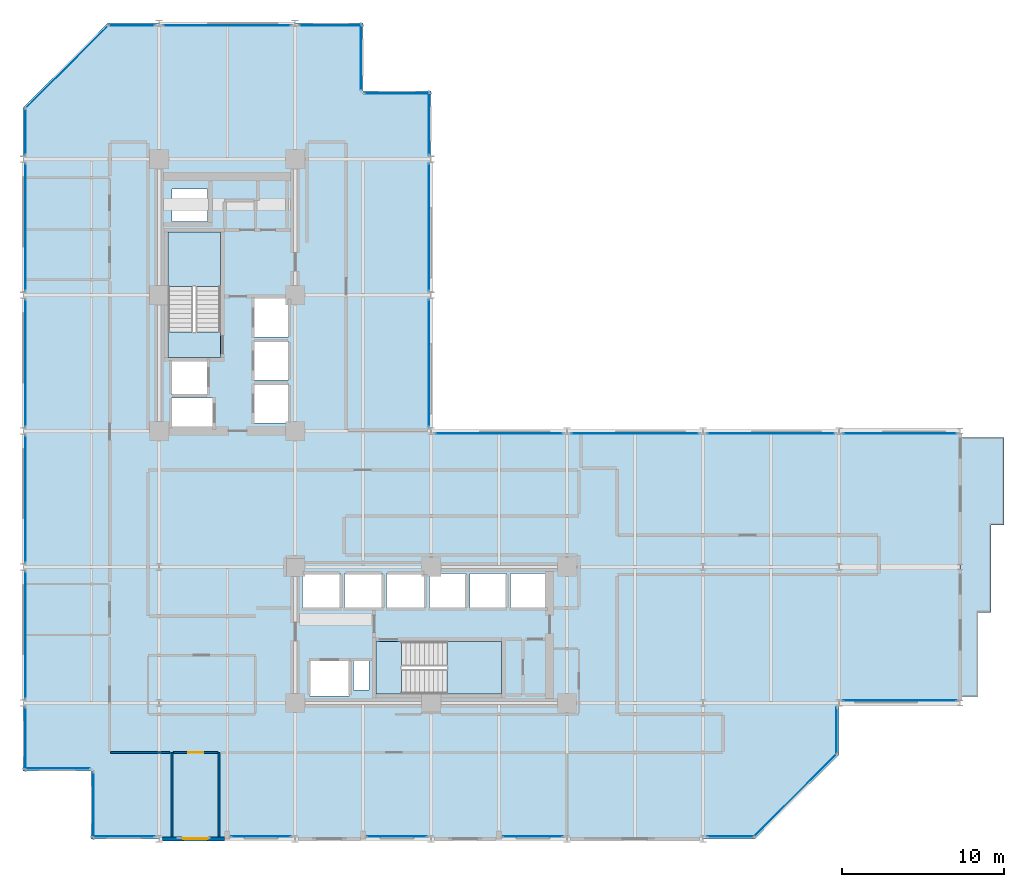
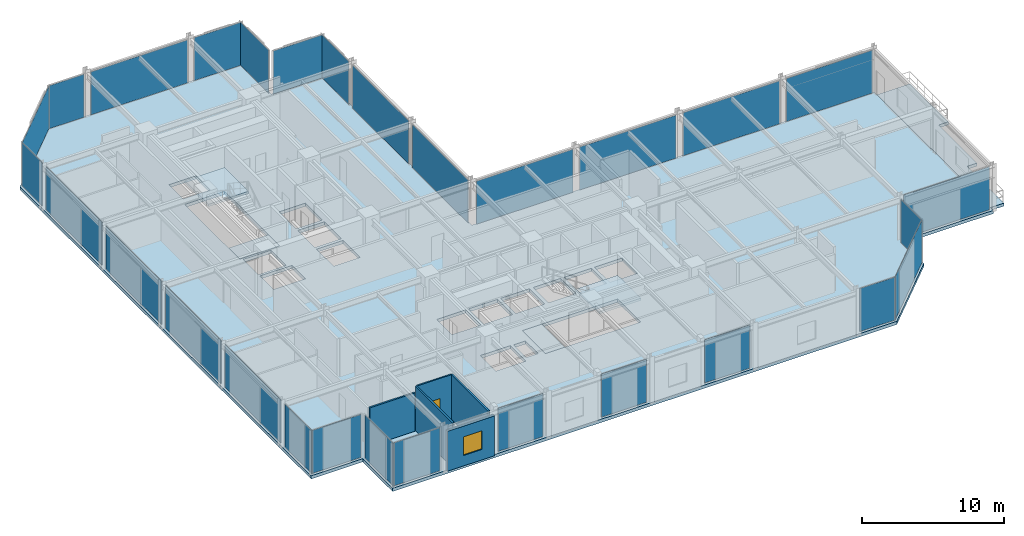
# One storey, part 31 of 38: 29 plates, 6 slabs, 5 walls, 1 door, 1 window, 2 openings, 31 elements without a shape of their own.
"""IFC4 building model written with IfcOpenShell, lengths in metres."""

import ifcopenshell
import ifcopenshell.guid

model = None  # the IFC model being written
_history = None  # IfcOwnerHistory: only IFC2X3 demands one
_inside = {}  # id of a spatial element -> (the spatial element, [elements in it])
_under = {}  # id of a project, library or spatial element -> (it, [spatial elements below it])
_declared = {}  # id of a project -> (the project, [libraries it declares])
_typed = {}  # id of a type object -> (the type object, [elements of that type])
_made_of = {}  # id of a material, layer set ... -> (it, [elements and type objects made of it])


def new_model(schema):
    """Start an empty IFC model of exactly this schema.

    Asked for "IFC4X3", IfcOpenShell would pick the latest addendum, in which some entities
    have other attributes; the version numbers below select the first issue.
    IFC2X3 requires an IfcOwnerHistory on every rooted entity: one is made here for all.
    """
    global model, _history
    if schema == "IFC4X3":
        model = ifcopenshell.file(schema_version=(4, 3, 0, 0))
    else:
        model = ifcopenshell.file(schema=schema)
    _inside.clear()
    _under.clear()
    _declared.clear()
    _typed.clear()
    _made_of.clear()
    _history = None
    if model.schema == "IFC2X3":
        org = make("IfcOrganization", Name="unknown")
        user = make(
            "IfcPersonAndOrganization",
            ThePerson=make("IfcPerson", FamilyName="unknown"),
            TheOrganization=org,
        )
        app = make(
            "IfcApplication",
            ApplicationDeveloper=org,
            Version="unknown",
            ApplicationFullName="unknown",
            ApplicationIdentifier="unknown",
        )
        _history = make(
            "IfcOwnerHistory",
            OwningUser=user,
            OwningApplication=app,
            ChangeAction="ADDED",
            CreationDate=0,
        )
    return model


def make(cls, **values):
    """One entity of the class cls with the attributes given. An attribute that is None is left unset."""
    return model.create_entity(
        cls, **{name: value for name, value in values.items() if value is not None}
    )


def rooted(cls, **values):
    """An entity with a GlobalId (a new one), such as an element, a storey or a relation."""
    return make(cls, GlobalId=ifcopenshell.guid.new(), OwnerHistory=_history, **values)


def si_unit(unit_type, name, prefix=None):
    """IfcSIUnit, for example si_unit("LENGTHUNIT", "METRE", prefix="MILLI")."""
    return make("IfcSIUnit", UnitType=unit_type, Prefix=prefix, Name=name)


def assignment(units):
    """IfcUnitAssignment: the units of a project."""
    return None if units is None else make("IfcUnitAssignment", Units=units)


def point(xyz):
    """IfcCartesianPoint."""
    return None if xyz is None else make("IfcCartesianPoint", Coordinates=xyz)


def direction(xyz):
    """IfcDirection."""
    return None if xyz is None else make("IfcDirection", DirectionRatios=xyz)


def frame(location, z_axis=None, x_axis=None):
    """IfcAxis2Placement3D, a coordinate frame: its origin and axes. An axis left out is left unset."""
    return make(
        "IfcAxis2Placement3D",
        Location=point(location),
        Axis=direction(z_axis),
        RefDirection=direction(x_axis),
    )


def frame_2d(location, x_axis=None):
    """IfcAxis2Placement2D, a coordinate frame in the plane: its origin and x axis."""
    return make(
        "IfcAxis2Placement2D", Location=point(location), RefDirection=direction(x_axis)
    )


def origin():
    """The frame at (0, 0, 0) with its axes left unset."""
    return frame((0.0, 0.0, 0.0))


def origin_2d():
    """The frame at (0, 0) in the plane with its x axis left unset."""
    return frame_2d((0.0, 0.0))


def place(relative_to, where):
    """IfcLocalPlacement: puts the frame where relative to a parent placement (None: the world)."""
    return make(
        "IfcLocalPlacement", PlacementRelTo=relative_to, RelativePlacement=where
    )


def context(
    kind, dimensions, precision=None, world=None, true_north=None, identifier=None
):
    """IfcGeometricRepresentationContext, for example the 3D "Model" context."""
    return make(
        "IfcGeometricRepresentationContext",
        ContextIdentifier=identifier,
        ContextType=kind,
        CoordinateSpaceDimension=dimensions,
        Precision=precision,
        WorldCoordinateSystem=world,
        TrueNorth=true_north,
    )


def subcontext(parent, identifier, kind, view, scale=None):
    """IfcGeometricRepresentationSubContext, for example "Body" below "Model"."""
    return make(
        "IfcGeometricRepresentationSubContext",
        ContextIdentifier=identifier,
        ContextType=kind,
        ParentContext=parent,
        TargetScale=scale,
        TargetView=view,
    )


def project(units=None, contexts=None):
    """IfcProject with its units and contexts."""
    return rooted(
        "IfcProject",
        Name="project",
        RepresentationContexts=contexts,
        UnitsInContext=assignment(units),
    )


def spatial(cls, under=None, at=None, **own):
    """A site, building, storey or space (cls), placed at a placement, below another one or the project."""
    s = rooted(cls, ObjectPlacement=at, **own)
    if under is not None:
        _under.setdefault(under.id(), (under, []))[1].append(s)
    return s


def polyline(points):
    """IfcPolyline through the points."""
    return make("IfcPolyline", Points=[point(p) for p in points])


def profile(cls, at=None, kind="AREA", **sizes):
    """A parametric profile (cls). Its sizes go by their IFC names, for example OverallWidth=200.0."""
    return make(cls, ProfileType=kind, Position=at, **sizes)


def rectangle(**sizes):
    """IfcRectangleProfileDef."""
    return profile("IfcRectangleProfileDef", **sizes)


def outline(outer, holes=None, kind="AREA"):
    """IfcArbitraryClosedProfileDef: a profile drawn as a closed curve; with holes, ...WithVoids."""
    if holes is None:
        return make("IfcArbitraryClosedProfileDef", ProfileType=kind, OuterCurve=outer)
    return make(
        "IfcArbitraryProfileDefWithVoids",
        ProfileType=kind,
        OuterCurve=outer,
        InnerCurves=holes,
    )


def extrude(swept, where, along, depth):
    """IfcExtrudedAreaSolid: the profile swept, set in the frame where, extruded along a direction by depth."""
    return make(
        "IfcExtrudedAreaSolid",
        SweptArea=swept,
        Position=where,
        ExtrudedDirection=direction(along),
        Depth=depth,
    )


def shape(context_of_items, identifier, shape_type, items):
    """IfcShapeRepresentation: the items that make up one representation, for example the "Body"."""
    return make(
        "IfcShapeRepresentation",
        ContextOfItems=context_of_items,
        RepresentationIdentifier=identifier,
        RepresentationType=shape_type,
        Items=items,
    )


def material(Name=None, Category=None):
    """IfcMaterial."""
    return make("IfcMaterial", Name=Name, Category=Category)


def layer(
    of_material, thickness, ventilated=None, Name=None, Category=None, Priority=None
):
    """IfcMaterialLayer: one layer of a wall or slab, of a material (None: an air gap)."""
    return make(
        "IfcMaterialLayer",
        Material=of_material,
        LayerThickness=thickness,
        IsVentilated=ventilated,
        Name=Name,
        Category=Category,
        Priority=Priority,
    )


def layer_set(layers, Name=None):
    """IfcMaterialLayerSet."""
    return make("IfcMaterialLayerSet", MaterialLayers=layers, LayerSetName=Name)


def made_of(thing, what):
    """Note that an element or type object is made of a material, layer set ...; save() writes the relation."""
    if what is not None:
        _made_of.setdefault(what.id(), (what, []))[1].append(thing)
    return thing


def type_object(cls, material=None, **own):
    """A type object (cls), such as IfcWallType, which elements share."""
    return made_of(rooted(cls, **own), material)


def element(
    cls,
    number,
    at=None,
    inside=None,
    cuts=None,
    type_object=None,
    material=None,
    context=None,
    identifier="Body",
    shape_type=None,
    held_by="IfcProductDefinitionShape",
    body=None,
    shapes=None,
    **own,
):
    """One element of the class cls, such as IfcWall. Its Tag is "e" and its number.

    at: its placement. inside: the storey or other place that contains it. cuts: it is an
    opening in that element (IfcRelVoidsElement). A single representation is given by context,
    identifier, shape_type and body (its items); several are given by shapes. held_by: the class
    of the entity that holds the representations. save() writes the other relations.
    """
    e = rooted(cls, Tag="e%d" % number, ObjectPlacement=at, **own)
    if body is not None:
        shapes = [shape(context, identifier, shape_type, body)]
    if shapes is not None:
        e.Representation = make(held_by, Representations=shapes)
    if inside is not None:
        _inside.setdefault(inside.id(), (inside, []))[1].append(e)
    if cuts is not None:
        rooted(
            "IfcRelVoidsElement", RelatingBuildingElement=cuts, RelatedOpeningElement=e
        )
    if type_object is not None:
        _typed.setdefault(type_object.id(), (type_object, []))[1].append(e)
    return made_of(e, material)


def fill(opening, filler):
    """IfcRelFillsElement: the door or window that sits in an opening."""
    return rooted(
        "IfcRelFillsElement",
        RelatingOpeningElement=opening,
        RelatedBuildingElement=filler,
    )


def aggregate(whole, parts):
    """IfcRelAggregates: a whole, such as a stair, and the parts it consists of."""
    return rooted("IfcRelAggregates", RelatingObject=whole, RelatedObjects=parts)


def save(model, path):
    """Write the relations noted so far, then the file.

    IfcRelAggregates (storeys below a building ...), IfcRelContainedInSpatialStructure (elements
    in a storey), IfcRelDefinesByType, IfcRelAssociatesMaterial and IfcRelDeclares: one each for
    every whole, place, type object, material and project.
    """
    for whole, parts in _under.values():
        aggregate(whole, parts)
    for where, things in _inside.values():
        rooted(
            "IfcRelContainedInSpatialStructure",
            RelatedElements=things,
            RelatingStructure=where,
        )
    for kind, things in _typed.values():
        rooted("IfcRelDefinesByType", RelatedObjects=things, RelatingType=kind)
    for what, things in _made_of.values():
        rooted("IfcRelAssociatesMaterial", RelatedObjects=things, RelatingMaterial=what)
    for by, libraries in _declared.values():
        rooted("IfcRelDeclares", RelatingContext=by, RelatedDefinitions=libraries)
    model.write(path)


model = new_model("IFC4")

# Units and contexts
model_context = context("Model", 3, precision=1e-05, world=origin(), true_north=direction((0.0, 1.0)))
body_context = subcontext(model_context, "Body", "Model", "MODEL_VIEW")
ifc_project = project(units=[si_unit("LENGTHUNIT", "METRE"), si_unit("AREAUNIT", "SQUARE_METRE"), si_unit("VOLUMEUNIT", "CUBIC_METRE"), si_unit("PLANEANGLEUNIT", "RADIAN"), si_unit("MASSUNIT", "GRAM", prefix="KILO")], contexts=[model_context])

# Site, building, storey
site_placement = place(None, origin())
site = spatial("IfcSite", under=ifc_project, at=site_placement, CompositionType="ELEMENT")
building_placement = place(site_placement, origin())
building = spatial("IfcBuilding", under=site, at=building_placement, Name="Nerrivon Quay Data Exchange", CompositionType="ELEMENT")
storey_placement = place(building_placement, frame((0.0, 0.0, 96.699951171875)))
storey = spatial("IfcBuildingStorey", under=building, at=storey_placement, Name="L22", CompositionType="ELEMENT", Elevation=96.699951171875)

# Curtain wall, plate
ifc_material_1 = material(Name="Anodised aluminium 6063-T6", Category="aluminium")
ifc_layer_1 = layer(ifc_material_1, 0.199951171875)
ifc_layer_set_1 = layer_set([ifc_layer_1], Name="Anodised aluminium 6063-T6")
curtain_wall_type_1 = type_object("IfcCurtainWallType", Name="CW-SYS-04", PredefinedType="NOTDEFINED", material=ifc_layer_set_1)
curtain_wall_1_placement = place(storey_placement, origin())
curtain_wall_1 = element("IfcCurtainWall", 1, at=curtain_wall_1_placement, inside=storey, type_object=curtain_wall_type_1, Name="L22 Unitised Curtain Wall 3", PredefinedType="NOTDEFINED")
ifc_material_2 = material(Name="Double-glazed low-E solar control glass", Category="glass")
ifc_layer_2 = layer(ifc_material_2, 0.028076171875)
ifc_layer_set_2 = layer_set([ifc_layer_2], Name="Double-glazed low-E solar control glass")
plate_type = type_object("IfcPlateType", Name="CWP-GLZ-28", PredefinedType="CURTAIN_PANEL", material=ifc_layer_set_2)
plate_1_placement = place(storey_placement, frame((54.17236328125, 8.5400390625, 0.06494140625), z_axis=(0.0, 0.0, 1.0), x_axis=(-1.0, 0.0, 0.0)))
plate_1 = element("IfcPlate", 2, at=plate_1_placement, type_object=plate_type, Name="CW04 panel 1.1", PredefinedType="CURTAIN_PANEL", context=body_context, shape_type="SweptSolid", body=[
    extrude(rectangle(XDim=6.994384765625, YDim=0.028076171875, at=origin_2d()), origin(), (0.0, 0.0, 1.0), 3.695068359375),
])
aggregate(curtain_wall_1, [plate_1])

ifc_layer_3 = layer(ifc_material_1, 0.2099609375)
ifc_layer_set_3 = layer_set([ifc_layer_3], Name="Anodised aluminium 6063-T6")
curtain_wall_type_2 = type_object("IfcCurtainWallType", Name="CW-SYS-02", PredefinedType="NOTDEFINED", material=ifc_layer_set_3)
curtain_wall_2_placement = place(storey_placement, origin())
curtain_wall_2 = element("IfcCurtainWall", 3, at=curtain_wall_2_placement, inside=storey, type_object=curtain_wall_type_2, Name="L22 Unitised Curtain Wall 4", PredefinedType="NOTDEFINED")
plate_2_placement = place(storey_placement, frame((50.260009765625, 6.699951171875, 0.06494140625), z_axis=(0.0, 0.0, 1.0), x_axis=(0.0, -1.0, 0.0)))
plate_2 = element("IfcPlate", 4, at=plate_2_placement, type_object=plate_type, Name="CW02 panel 1.1", PredefinedType="CURTAIN_PANEL", context=body_context, shape_type="SweptSolid", body=[
    extrude(rectangle(XDim=2.85009765625, YDim=0.028076171875, at=origin_2d()), origin(), (0.0, 0.0, 1.0), 3.695068359375),
])
aggregate(curtain_wall_2, [plate_2])

curtain_wall_3_placement = place(storey_placement, origin())
curtain_wall_3 = element("IfcCurtainWall", 5, at=curtain_wall_3_placement, inside=storey, type_object=curtain_wall_type_2, Name="L22 Unitised Curtain Wall 5", PredefinedType="NOTDEFINED")
plate_3_placement = place(storey_placement, frame((47.700927734375, 2.698974609375, 0.06494140625), z_axis=(0.0, 0.0, 1.0), x_axis=(-0.707106781187, -0.707106781187, 0.0)))
plate_3 = element("IfcPlate", 6, at=plate_3_placement, type_object=plate_type, Name="CW02 panel 1.1", PredefinedType="CURTAIN_PANEL", context=body_context, shape_type="SweptSolid", body=[
    extrude(rectangle(XDim=7.203857421875, YDim=0.028076171875, at=origin_2d()), origin(), (0.0, 0.0, 1.0), 3.695068359375),
])
aggregate(curtain_wall_3, [plate_3])

curtain_wall_4_placement = place(storey_placement, origin())
curtain_wall_4 = element("IfcCurtainWall", 7, at=curtain_wall_4_placement, inside=storey, type_object=curtain_wall_type_2, Name="L22 Unitised Curtain Wall 6", PredefinedType="NOTDEFINED")
plate_4_placement = place(storey_placement, frame((43.699951171875, 0.139892578125, 0.06494140625), z_axis=(0.0, 0.0, 1.0), x_axis=(-1.0, 0.0, 0.0)))
plate_4 = element("IfcPlate", 8, at=plate_4_placement, type_object=plate_type, Name="CW02 panel 1.1", PredefinedType="CURTAIN_PANEL", context=body_context, shape_type="SweptSolid", body=[
    extrude(rectangle(XDim=2.85009765625, YDim=0.028076171875, at=origin_2d()), origin(), (0.0, 0.0, 1.0), 3.695068359375),
])
aggregate(curtain_wall_4, [plate_4])

curtain_wall_5_placement = place(storey_placement, origin())
curtain_wall_5 = element("IfcCurtainWall", 9, at=curtain_wall_5_placement, inside=storey, type_object=curtain_wall_type_2, Name="L22 Unitised Curtain Wall 8", PredefinedType="NOTDEFINED")
plate_5_placement = place(storey_placement, frame((31.487548828125, 0.139892578125, 0.06494140625), z_axis=(0.0, 0.0, 1.0), x_axis=(-1.0, 0.0, 0.0)))
plate_5 = element("IfcPlate", 10, at=plate_5_placement, type_object=plate_type, Name="CW02 panel 1.1", PredefinedType="CURTAIN_PANEL", context=body_context, shape_type="SweptSolid", body=[
    extrude(rectangle(XDim=3.675048828125, YDim=0.028076171875, at=origin_2d()), origin(), (0.0, 0.0, 1.0), 3.695068359375),
])
aggregate(curtain_wall_5, [plate_5])

curtain_wall_6_placement = place(storey_placement, origin())
curtain_wall_6 = element("IfcCurtainWall", 11, at=curtain_wall_6_placement, inside=storey, type_object=curtain_wall_type_2, Name="L22 Unitised Curtain Wall 10", PredefinedType="NOTDEFINED")
plate_6_placement = place(storey_placement, frame((23.08740234375, 0.139892578125, 0.06494140625), z_axis=(0.0, 0.0, 1.0), x_axis=(-1.0, 0.0, 0.0)))
plate_6 = element("IfcPlate", 12, at=plate_6_placement, type_object=plate_type, Name="CW02 panel 1.1", PredefinedType="CURTAIN_PANEL", context=body_context, shape_type="SweptSolid", body=[
    extrude(rectangle(XDim=3.675048828125, YDim=0.028076171875, at=origin_2d()), origin(), (0.0, 0.0, 1.0), 3.695068359375),
])
aggregate(curtain_wall_6, [plate_6])

curtain_wall_7_placement = place(storey_placement, origin())
curtain_wall_7 = element("IfcCurtainWall", 13, at=curtain_wall_7_placement, inside=storey, type_object=curtain_wall_type_2, Name="L22 Unitised Curtain Wall 12", PredefinedType="NOTDEFINED")
plate_7_placement = place(storey_placement, frame((14.6875, 0.139892578125, 0.06494140625), z_axis=(0.0, 0.0, 1.0), x_axis=(-1.0, 0.0, 0.0)))
plate_7 = element("IfcPlate", 14, at=plate_7_placement, type_object=plate_type, Name="CW02 panel 1.1", PredefinedType="CURTAIN_PANEL", context=body_context, shape_type="SweptSolid", body=[
    extrude(rectangle(XDim=3.675048828125, YDim=0.028076171875, at=origin_2d()), origin(), (0.0, 0.0, 1.0), 3.695068359375),
])
aggregate(curtain_wall_7, [plate_7])

curtain_wall_8_placement = place(storey_placement, origin())
curtain_wall_8 = element("IfcCurtainWall", 15, at=curtain_wall_8_placement, inside=storey, type_object=curtain_wall_type_2, Name="L22 Unitised Curtain Wall 14", PredefinedType="NOTDEFINED")
plate_8_placement = place(storey_placement, frame((6.199951171875, 0.139892578125, 0.06494140625), z_axis=(0.0, 0.0, 1.0), x_axis=(-1.0, 0.0, 0.0)))
plate_8 = element("IfcPlate", 16, at=plate_8_placement, type_object=plate_type, Name="CW02 panel 1.1", PredefinedType="CURTAIN_PANEL", context=body_context, shape_type="SweptSolid", body=[
    extrude(rectangle(XDim=3.85009765625, YDim=0.028076171875, at=origin_2d()), origin(), (0.0, 0.0, 1.0), 3.695068359375),
])
aggregate(curtain_wall_8, [plate_8])

curtain_wall_9_placement = place(storey_placement, origin())
curtain_wall_9 = element("IfcCurtainWall", 17, at=curtain_wall_9_placement, inside=storey, type_object=curtain_wall_type_2, Name="L22 Unitised Curtain Wall 15", PredefinedType="NOTDEFINED")
plate_9_placement = place(storey_placement, frame((4.340087890625, 2.10009765625, 0.06494140625), z_axis=(0.0, 0.0, 1.0), x_axis=(0.0, 1.0, 0.0)))
plate_9 = element("IfcPlate", 18, at=plate_9_placement, type_object=plate_type, Name="CW02 panel 1.1", PredefinedType="CURTAIN_PANEL", context=body_context, shape_type="SweptSolid", body=[
    extrude(rectangle(XDim=4.050048828125, YDim=0.028076171875, at=origin_2d()), origin(), (0.0, 0.0, 1.0), 3.695068359375),
])
aggregate(curtain_wall_9, [plate_9])

curtain_wall_10_placement = place(storey_placement, origin())
curtain_wall_10 = element("IfcCurtainWall", 19, at=curtain_wall_10_placement, inside=storey, type_object=curtain_wall_type_2, Name="L22 Unitised Curtain Wall 16", PredefinedType="NOTDEFINED")
plate_10_placement = place(storey_placement, frame((2.10009765625, 4.340087890625, 0.06494140625), z_axis=(0.0, 0.0, 1.0), x_axis=(-1.0, 0.0, 0.0)))
plate_10 = element("IfcPlate", 20, at=plate_10_placement, type_object=plate_type, Name="CW02 panel 1.1", PredefinedType="CURTAIN_PANEL", context=body_context, shape_type="SweptSolid", body=[
    extrude(rectangle(XDim=4.050048828125, YDim=0.028076171875, at=origin_2d()), origin(), (0.0, 0.0, 1.0), 3.695068359375),
])
aggregate(curtain_wall_10, [plate_10])

curtain_wall_11_placement = place(storey_placement, origin())
curtain_wall_11 = element("IfcCurtainWall", 21, at=curtain_wall_11_placement, inside=storey, type_object=curtain_wall_type_2, Name="L22 Unitised Curtain Wall 17", PredefinedType="NOTDEFINED")
plate_11_placement = place(storey_placement, frame((0.139892578125, 6.199951171875, 0.06494140625), z_axis=(0.0, 0.0, 1.0), x_axis=(0.0, 1.0, 0.0)))
plate_11 = element("IfcPlate", 22, at=plate_11_placement, type_object=plate_type, Name="CW02 panel 1.1", PredefinedType="CURTAIN_PANEL", context=body_context, shape_type="SweptSolid", body=[
    extrude(rectangle(XDim=3.85009765625, YDim=0.028076171875, at=origin_2d()), origin(), (0.0, 0.0, 1.0), 3.695068359375),
])
aggregate(curtain_wall_11, [plate_11])

curtain_wall_12_placement = place(storey_placement, origin())
curtain_wall_12 = element("IfcCurtainWall", 23, at=curtain_wall_12_placement, inside=storey, type_object=curtain_wall_type_2, Name="L22 Unitised Curtain Wall 18", PredefinedType="NOTDEFINED")
plate_12_placement = place(storey_placement, frame((0.139892578125, 12.60009765625, 0.06494140625), z_axis=(0.0, 0.0, 1.0), x_axis=(0.0, 1.0, 0.0)))
plate_12 = element("IfcPlate", 24, at=plate_12_placement, type_object=plate_type, Name="CW02 panel 1.1", PredefinedType="CURTAIN_PANEL", context=body_context, shape_type="SweptSolid", body=[
    extrude(rectangle(XDim=7.85009765625, YDim=0.028076171875, at=origin_2d()), origin(), (0.0, 0.0, 1.0), 3.695068359375),
])
aggregate(curtain_wall_12, [plate_12])

curtain_wall_13_placement = place(storey_placement, origin())
curtain_wall_13 = element("IfcCurtainWall", 25, at=curtain_wall_13_placement, inside=storey, type_object=curtain_wall_type_2, Name="L22 Unitised Curtain Wall 19", PredefinedType="NOTDEFINED")
plate_13_placement = place(storey_placement, frame((0.139892578125, 21.0, 0.06494140625), z_axis=(0.0, 0.0, 1.0), x_axis=(0.0, 1.0, 0.0)))
plate_13 = element("IfcPlate", 26, at=plate_13_placement, type_object=plate_type, Name="CW02 panel 1.1", PredefinedType="CURTAIN_PANEL", context=body_context, shape_type="SweptSolid", body=[
    extrude(rectangle(XDim=7.85009765625, YDim=0.028076171875, at=origin_2d()), origin(), (0.0, 0.0, 1.0), 3.695068359375),
])
aggregate(curtain_wall_13, [plate_13])

curtain_wall_14_placement = place(storey_placement, origin())
curtain_wall_14 = element("IfcCurtainWall", 27, at=curtain_wall_14_placement, inside=storey, type_object=curtain_wall_type_2, Name="L22 Unitised Curtain Wall 20", PredefinedType="NOTDEFINED")
plate_14_placement = place(storey_placement, frame((0.139892578125, 29.39990234375, 0.06494140625), z_axis=(0.0, 0.0, 1.0), x_axis=(0.0, 1.0, 0.0)))
plate_14 = element("IfcPlate", 28, at=plate_14_placement, type_object=plate_type, Name="CW02 panel 1.1", PredefinedType="CURTAIN_PANEL", context=body_context, shape_type="SweptSolid", body=[
    extrude(rectangle(XDim=7.85009765625, YDim=0.028076171875, at=origin_2d()), origin(), (0.0, 0.0, 1.0), 3.695068359375),
])
aggregate(curtain_wall_14, [plate_14])

curtain_wall_15_placement = place(storey_placement, origin())
curtain_wall_15 = element("IfcCurtainWall", 29, at=curtain_wall_15_placement, inside=storey, type_object=curtain_wall_type_2, Name="L22 Unitised Curtain Wall 21", PredefinedType="NOTDEFINED")
plate_15_placement = place(storey_placement, frame((0.139892578125, 37.800048828125, 0.06494140625), z_axis=(0.0, 0.0, 1.0), x_axis=(0.0, 1.0, 0.0)))
plate_15 = element("IfcPlate", 30, at=plate_15_placement, type_object=plate_type, Name="CW02 panel 1.1", PredefinedType="CURTAIN_PANEL", context=body_context, shape_type="SweptSolid", body=[
    extrude(rectangle(XDim=7.85009765625, YDim=0.028076171875, at=origin_2d()), origin(), (0.0, 0.0, 1.0), 3.695068359375),
])
aggregate(curtain_wall_15, [plate_15])

curtain_wall_16_placement = place(storey_placement, origin())
curtain_wall_16 = element("IfcCurtainWall", 31, at=curtain_wall_16_placement, inside=storey, type_object=curtain_wall_type_2, Name="L22 Unitised Curtain Wall 22", PredefinedType="NOTDEFINED")
plate_16_placement = place(storey_placement, frame((0.139892578125, 43.699951171875, 0.06494140625), z_axis=(0.0, 0.0, 1.0), x_axis=(0.0, 1.0, 0.0)))
plate_16 = element("IfcPlate", 32, at=plate_16_placement, type_object=plate_type, Name="CW02 panel 1.1", PredefinedType="CURTAIN_PANEL", context=body_context, shape_type="SweptSolid", body=[
    extrude(rectangle(XDim=2.85009765625, YDim=0.028076171875, at=origin_2d()), origin(), (0.0, 0.0, 1.0), 3.695068359375),
])
aggregate(curtain_wall_16, [plate_16])

curtain_wall_17_placement = place(storey_placement, origin())
curtain_wall_17 = element("IfcCurtainWall", 33, at=curtain_wall_17_placement, inside=storey, type_object=curtain_wall_type_2, Name="L22 Unitised Curtain Wall 23", PredefinedType="NOTDEFINED")
plate_17_placement = place(storey_placement, frame((2.698974609375, 47.700927734375, 0.06494140625), z_axis=(0.0, 0.0, 1.0), x_axis=(0.707106781187, 0.707106781187, 0.0)))
plate_17 = element("IfcPlate", 34, at=plate_17_placement, type_object=plate_type, Name="CW02 panel 1.1", PredefinedType="CURTAIN_PANEL", context=body_context, shape_type="SweptSolid", body=[
    extrude(rectangle(XDim=7.203857421875, YDim=0.028076171875, at=origin_2d()), origin(), (0.0, 0.0, 1.0), 3.695068359375),
])
aggregate(curtain_wall_17, [plate_17])

curtain_wall_18_placement = place(storey_placement, origin())
curtain_wall_18 = element("IfcCurtainWall", 35, at=curtain_wall_18_placement, inside=storey, type_object=curtain_wall_type_2, Name="L22 Unitised Curtain Wall 24", PredefinedType="NOTDEFINED")
plate_18_placement = place(storey_placement, frame((6.699951171875, 50.260009765625, 0.06494140625), z_axis=(0.0, 0.0, 1.0), x_axis=(1.0, 0.0, 0.0)))
plate_18 = element("IfcPlate", 36, at=plate_18_placement, type_object=plate_type, Name="CW02 panel 1.1", PredefinedType="CURTAIN_PANEL", context=body_context, shape_type="SweptSolid", body=[
    extrude(rectangle(XDim=2.85009765625, YDim=0.028076171875, at=origin_2d()), origin(), (0.0, 0.0, 1.0), 3.695068359375),
])
aggregate(curtain_wall_18, [plate_18])

curtain_wall_19_placement = place(storey_placement, origin())
curtain_wall_19 = element("IfcCurtainWall", 37, at=curtain_wall_19_placement, inside=storey, type_object=curtain_wall_type_2, Name="L22 Unitised Curtain Wall 25", PredefinedType="NOTDEFINED")
plate_19_placement = place(storey_placement, frame((12.60009765625, 50.260009765625, 0.06494140625), z_axis=(0.0, 0.0, 1.0), x_axis=(1.0, 0.0, 0.0)))
plate_19 = element("IfcPlate", 38, at=plate_19_placement, type_object=plate_type, Name="CW02 panel 1.1", PredefinedType="CURTAIN_PANEL", context=body_context, shape_type="SweptSolid", body=[
    extrude(rectangle(XDim=7.85009765625, YDim=0.028076171875, at=origin_2d()), origin(), (0.0, 0.0, 1.0), 3.695068359375),
])
aggregate(curtain_wall_19, [plate_19])

curtain_wall_20_placement = place(storey_placement, origin())
curtain_wall_20 = element("IfcCurtainWall", 39, at=curtain_wall_20_placement, inside=storey, type_object=curtain_wall_type_2, Name="L22 Unitised Curtain Wall 26", PredefinedType="NOTDEFINED")
plate_20_placement = place(storey_placement, frame((19.0, 50.260009765625, 0.06494140625), z_axis=(0.0, 0.0, 1.0), x_axis=(1.0, 0.0, 0.0)))
plate_20 = element("IfcPlate", 40, at=plate_20_placement, type_object=plate_type, Name="CW02 panel 1.1", PredefinedType="CURTAIN_PANEL", context=body_context, shape_type="SweptSolid", body=[
    extrude(rectangle(XDim=3.85009765625, YDim=0.028076171875, at=origin_2d()), origin(), (0.0, 0.0, 1.0), 3.695068359375),
])
aggregate(curtain_wall_20, [plate_20])

curtain_wall_21_placement = place(storey_placement, origin())
curtain_wall_21 = element("IfcCurtainWall", 41, at=curtain_wall_21_placement, inside=storey, type_object=curtain_wall_type_2, Name="L22 Unitised Curtain Wall 27", PredefinedType="NOTDEFINED")
plate_21_placement = place(storey_placement, frame((20.860107421875, 48.300048828125, 0.06494140625), z_axis=(0.0, 0.0, 1.0), x_axis=(0.0, -1.0, 0.0)))
plate_21 = element("IfcPlate", 42, at=plate_21_placement, type_object=plate_type, Name="CW02 panel 1.1", PredefinedType="CURTAIN_PANEL", context=body_context, shape_type="SweptSolid", body=[
    extrude(rectangle(XDim=4.050048828125, YDim=0.028076171875, at=origin_2d()), origin(), (0.0, 0.0, 1.0), 3.695068359375),
])
aggregate(curtain_wall_21, [plate_21])

curtain_wall_22_placement = place(storey_placement, origin())
curtain_wall_22 = element("IfcCurtainWall", 43, at=curtain_wall_22_placement, inside=storey, type_object=curtain_wall_type_2, Name="L22 Unitised Curtain Wall 28", PredefinedType="NOTDEFINED")
plate_22_placement = place(storey_placement, frame((23.10009765625, 46.06005859375, 0.06494140625), z_axis=(0.0, 0.0, 1.0), x_axis=(1.0, 0.0, 0.0)))
plate_22 = element("IfcPlate", 44, at=plate_22_placement, type_object=plate_type, Name="CW02 panel 1.1", PredefinedType="CURTAIN_PANEL", context=body_context, shape_type="SweptSolid", body=[
    extrude(rectangle(XDim=4.050048828125, YDim=0.028076171875, at=origin_2d()), origin(), (0.0, 0.0, 1.0), 3.695068359375),
])
aggregate(curtain_wall_22, [plate_22])

curtain_wall_23_placement = place(storey_placement, origin())
curtain_wall_23 = element("IfcCurtainWall", 45, at=curtain_wall_23_placement, inside=storey, type_object=curtain_wall_type_2, Name="L22 Unitised Curtain Wall 29", PredefinedType="NOTDEFINED")
plate_23_placement = place(storey_placement, frame((25.06005859375, 44.199951171875, 0.06494140625), z_axis=(0.0, 0.0, 1.0), x_axis=(0.0, -1.0, 0.0)))
plate_23 = element("IfcPlate", 46, at=plate_23_placement, type_object=plate_type, Name="CW02 panel 1.1", PredefinedType="CURTAIN_PANEL", context=body_context, shape_type="SweptSolid", body=[
    extrude(rectangle(XDim=3.85009765625, YDim=0.028076171875, at=origin_2d()), origin(), (0.0, 0.0, 1.0), 3.695068359375),
])
aggregate(curtain_wall_23, [plate_23])

curtain_wall_24_placement = place(storey_placement, origin())
curtain_wall_24 = element("IfcCurtainWall", 47, at=curtain_wall_24_placement, inside=storey, type_object=curtain_wall_type_2, Name="L22 Unitised Curtain Wall 30", PredefinedType="NOTDEFINED")
plate_24_placement = place(storey_placement, frame((25.06005859375, 37.800048828125, 0.06494140625), z_axis=(0.0, 0.0, 1.0), x_axis=(0.0, -1.0, 0.0)))
plate_24 = element("IfcPlate", 48, at=plate_24_placement, type_object=plate_type, Name="CW02 panel 1.1", PredefinedType="CURTAIN_PANEL", context=body_context, shape_type="SweptSolid", body=[
    extrude(rectangle(XDim=7.85009765625, YDim=0.028076171875, at=origin_2d()), origin(), (0.0, 0.0, 1.0), 3.695068359375),
])
aggregate(curtain_wall_24, [plate_24])

curtain_wall_25_placement = place(storey_placement, origin())
curtain_wall_25 = element("IfcCurtainWall", 49, at=curtain_wall_25_placement, inside=storey, type_object=curtain_wall_type_2, Name="L22 Unitised Curtain Wall 31", PredefinedType="NOTDEFINED")
plate_25_placement = place(storey_placement, frame((25.06005859375, 29.39990234375, 0.06494140625), z_axis=(0.0, 0.0, 1.0), x_axis=(0.0, -1.0, 0.0)))
plate_25 = element("IfcPlate", 50, at=plate_25_placement, type_object=plate_type, Name="CW02 panel 1.1", PredefinedType="CURTAIN_PANEL", context=body_context, shape_type="SweptSolid", body=[
    extrude(rectangle(XDim=7.85009765625, YDim=0.028076171875, at=origin_2d()), origin(), (0.0, 0.0, 1.0), 3.695068359375),
])
aggregate(curtain_wall_25, [plate_25])

curtain_wall_26_placement = place(storey_placement, origin())
curtain_wall_26 = element("IfcCurtainWall", 51, at=curtain_wall_26_placement, inside=storey, type_object=curtain_wall_type_2, Name="L22 Unitised Curtain Wall 32", PredefinedType="NOTDEFINED")
plate_26_placement = place(storey_placement, frame((29.39990234375, 25.06005859375, 0.06494140625), z_axis=(0.0, 0.0, 1.0), x_axis=(1.0, 0.0, 0.0)))
plate_26 = element("IfcPlate", 52, at=plate_26_placement, type_object=plate_type, Name="CW02 panel 1.1", PredefinedType="CURTAIN_PANEL", context=body_context, shape_type="SweptSolid", body=[
    extrude(rectangle(XDim=7.85009765625, YDim=0.028076171875, at=origin_2d()), origin(), (0.0, 0.0, 1.0), 3.695068359375),
])
aggregate(curtain_wall_26, [plate_26])

curtain_wall_27_placement = place(storey_placement, origin())
curtain_wall_27 = element("IfcCurtainWall", 53, at=curtain_wall_27_placement, inside=storey, type_object=curtain_wall_type_2, Name="L22 Unitised Curtain Wall 33", PredefinedType="NOTDEFINED")
plate_27_placement = place(storey_placement, frame((37.800048828125, 25.06005859375, 0.06494140625), z_axis=(0.0, 0.0, 1.0), x_axis=(1.0, 0.0, 0.0)))
plate_27 = element("IfcPlate", 54, at=plate_27_placement, type_object=plate_type, Name="CW02 panel 1.1", PredefinedType="CURTAIN_PANEL", context=body_context, shape_type="SweptSolid", body=[
    extrude(rectangle(XDim=7.85009765625, YDim=0.028076171875, at=origin_2d()), origin(), (0.0, 0.0, 1.0), 3.695068359375),
])
aggregate(curtain_wall_27, [plate_27])

curtain_wall_28_placement = place(storey_placement, origin())
curtain_wall_28 = element("IfcCurtainWall", 55, at=curtain_wall_28_placement, inside=storey, type_object=curtain_wall_type_2, Name="L22 Unitised Curtain Wall 34", PredefinedType="NOTDEFINED")
plate_28_placement = place(storey_placement, frame((46.199951171875, 25.06005859375, 0.06494140625), z_axis=(0.0, 0.0, 1.0), x_axis=(1.0, 0.0, 0.0)))
plate_28 = element("IfcPlate", 56, at=plate_28_placement, type_object=plate_type, Name="CW02 panel 1.1", PredefinedType="CURTAIN_PANEL", context=body_context, shape_type="SweptSolid", body=[
    extrude(rectangle(XDim=7.85009765625, YDim=0.028076171875, at=origin_2d()), origin(), (0.0, 0.0, 1.0), 3.695068359375),
])
aggregate(curtain_wall_28, [plate_28])

curtain_wall_29_placement = place(storey_placement, origin())
curtain_wall_29 = element("IfcCurtainWall", 57, at=curtain_wall_29_placement, inside=storey, type_object=curtain_wall_type_1, Name="L22 Unitised Curtain Wall 35", PredefinedType="NOTDEFINED")
plate_29_placement = place(storey_placement, frame((54.17236328125, 25.06005859375, 0.06494140625), z_axis=(0.0, 0.0, 1.0), x_axis=(1.0, 0.0, 0.0)))
plate_29 = element("IfcPlate", 58, at=plate_29_placement, type_object=plate_type, Name="CW04 panel 1.1", PredefinedType="CURTAIN_PANEL", context=body_context, shape_type="SweptSolid", body=[
    extrude(rectangle(XDim=6.994384765625, YDim=0.028076171875, at=origin_2d()), origin(), (0.0, 0.0, 1.0), 3.695068359375),
])
aggregate(curtain_wall_29, [plate_29])

# Slab
ifc_material_3 = material(Name="Precast white architectural concrete N50 (50 MPa)", Category="concrete")
ifc_layer_4 = layer(ifc_material_3, 0.25)
ifc_layer_set_4 = layer_set([ifc_layer_4], Name="Precast white architectural concrete N50 (50 MPa)")
slab_type_1 = type_object("IfcSlabType", Name="SLB-BAL-250", PredefinedType="FLOOR", material=ifc_layer_set_4)
slab_1_placement = place(storey_placement, frame((0.0, 0.0, -0.25)))
element("IfcSlab", 59, at=slab_1_placement, inside=storey, type_object=slab_type_1, Name="L22 East Hooked Drifting Verandah", PredefinedType="FLOOR", context=body_context, shape_type="SweptSolid", body=[
    extrude(outline(polyline([(59.0, 14.0), (59.800048828125, 14.0), (59.800048828125, 19.39990234375), (60.60009765625, 19.39990234375), (60.60009765625, 24.800048828125), (57.89990234375, 24.800048828125), (57.89990234375, 19.39990234375), (57.89990234375, 14.0), (57.89990234375, 8.800048828125), (59.0, 8.800048828125), (59.0, 14.0)])), origin(), (0.0, 0.0, 1.0), 0.25),
])

# Stair, slab
ifc_material_4 = material(Name="Concrete N50 (50 MPa)", Category="concrete")
stair_type = type_object("IfcStairType", Name="STAIR-DOG-41", PredefinedType="HALF_TURN_STAIR", material=ifc_material_4)
stair_1_placement = place(storey_placement, origin())
stair_1 = element("IfcStair", 60, at=stair_1_placement, inside=storey, type_object=stair_type, Name="L22 West Core Fire Stair ST01", PredefinedType="HALF_TURN_STAIR")
ifc_layer_5 = layer(ifc_material_4, 0.199951171875)
ifc_layer_set_5 = layer_set([ifc_layer_5], Name="Concrete N50 (50 MPa)")
slab_type_2 = type_object("IfcSlabType", Name="SLB-LAND-200", PredefinedType="LANDING", material=ifc_layer_set_5)
slab_2_placement = place(storey_placement, frame((0.0, 0.0, 1.85009765625)))
slab_2 = element("IfcSlab", 61, at=slab_2_placement, type_object=slab_type_2, Name="ST01 landing 1", PredefinedType="LANDING", context=body_context, shape_type="SweptSolid", body=[
    extrude(outline(polyline([(12.199951171875, 34.1298828125), (12.199951171875, 37.5), (8.949951171875, 37.5), (8.949951171875, 34.1298828125), (12.199951171875, 34.1298828125)])), origin(), (0.0, 0.0, 1.0), 0.199951171875),
])
aggregate(stair_1, [slab_2])

# Slab
slab_3_placement = place(storey_placement, frame((0.0, 0.0, -0.199951171875)))
element("IfcSlab", 62, at=slab_3_placement, inside=storey, type_object=slab_type_2, Name="L22 ST01 floor landing", PredefinedType="LANDING", context=body_context, shape_type="SweptSolid", body=[
    extrude(outline(polyline([(12.199951171875, 29.75), (12.199951171875, 31.330078125), (8.949951171875, 31.330078125), (8.949951171875, 29.75), (12.199951171875, 29.75)])), origin(), (0.0, 0.0, 1.0), 0.199951171875),
])

# Stair, slab
stair_2_placement = place(storey_placement, origin())
stair_2 = element("IfcStair", 63, at=stair_2_placement, inside=storey, type_object=stair_type, Name="L22 East Core Fire Stair ST02", PredefinedType="HALF_TURN_STAIR")
slab_4_placement = place(storey_placement, frame((0.0, 0.0, 1.85009765625)))
slab_4 = element("IfcSlab", 64, at=slab_4_placement, type_object=slab_type_2, Name="ST02 landing 1", PredefinedType="LANDING", context=body_context, shape_type="SweptSolid", body=[
    extrude(outline(polyline([(26.179931640625, 8.949951171875), (29.550048828125, 8.949951171875), (29.550048828125, 12.199951171875), (26.179931640625, 12.199951171875), (26.179931640625, 8.949951171875)])), origin(), (0.0, 0.0, 1.0), 0.199951171875),
])
aggregate(stair_2, [slab_4])

# Slabs
slab_5_placement = place(storey_placement, frame((0.0, 0.0, -0.199951171875)))
element("IfcSlab", 65, at=slab_5_placement, inside=storey, type_object=slab_type_2, Name="L22 ST02 floor landing", PredefinedType="LANDING", context=body_context, shape_type="SweptSolid", body=[
    extrude(outline(polyline([(21.800048828125, 8.949951171875), (23.3798828125, 8.949951171875), (23.3798828125, 12.199951171875), (21.800048828125, 12.199951171875), (21.800048828125, 8.949951171875)])), origin(), (0.0, 0.0, 1.0), 0.199951171875),
])
ifc_layer_6 = layer(ifc_material_4, 0.27490234375)
ifc_layer_set_6 = layer_set([ifc_layer_6], Name="Concrete N50 (50 MPa)")
slab_type_3 = type_object("IfcSlabType", Name="SLB-TOW-275", PredefinedType="FLOOR", material=ifc_layer_set_6)
slab_6_placement = place(storey_placement, frame((0.0, 0.0, -0.27490234375)))
element("IfcSlab", 66, at=slab_6_placement, inside=storey, type_object=slab_type_3, Name="L22 Primary Structural Slab", PredefinedType="FLOOR", context=body_context, shape_type="SweptSolid", body=[
    extrude(outline(polyline([(25.199951171875, 25.199951171875), (25.199951171875, 46.199951171875), (21.0, 46.199951171875), (21.0, 50.39990234375), (5.199951171875, 50.39990234375), (0.0, 45.199951171875), (0.0, 4.199951171875), (4.199951171875, 4.199951171875), (4.199951171875, 0.0), (45.199951171875, 0.0), (50.39990234375, 5.199951171875), (50.39990234375, 8.39990234375), (57.89990234375, 8.39990234375), (57.89990234375, 25.199951171875), (25.199951171875, 25.199951171875)]), holes=[polyline([(8.949951171875, 29.75), (8.949951171875, 37.5), (12.199951171875, 37.5), (12.199951171875, 29.75), (8.949951171875, 29.75)]), polyline([(21.800048828125, 12.199951171875), (29.550048828125, 12.199951171875), (29.550048828125, 8.949951171875), (21.800048828125, 8.949951171875), (21.800048828125, 12.199951171875)]), polyline([(30.10009765625, 16.39990234375), (32.35009765625, 16.39990234375), (32.35009765625, 14.25), (30.10009765625, 14.25), (30.10009765625, 16.39990234375)]), polyline([(27.60009765625, 16.39990234375), (29.85009765625, 16.39990234375), (29.85009765625, 14.25), (27.60009765625, 14.25), (27.60009765625, 16.39990234375)]), polyline([(25.10009765625, 16.39990234375), (27.35009765625, 16.39990234375), (27.35009765625, 14.25), (25.10009765625, 14.25), (25.10009765625, 16.39990234375)]), polyline([(22.449951171875, 16.39990234375), (24.800048828125, 16.39990234375), (24.800048828125, 14.25), (22.449951171875, 14.25), (22.449951171875, 16.39990234375)]), polyline([(19.85009765625, 16.39990234375), (22.199951171875, 16.39990234375), (22.199951171875, 14.25), (19.85009765625, 14.25), (19.85009765625, 16.39990234375)]), polyline([(20.39990234375, 11.0), (21.35009765625, 11.0), (21.35009765625, 9.199951171875), (20.39990234375, 9.199951171875), (20.39990234375, 11.0)]), polyline([(17.699951171875, 8.830078125), (17.699951171875, 11.030029296875), (20.14990234375, 11.030029296875), (20.14990234375, 8.830078125), (17.699951171875, 8.830078125)]), polyline([(17.25, 14.25), (17.25, 16.39990234375), (19.60009765625, 16.39990234375), (19.60009765625, 14.25), (17.25, 14.25)]), polyline([(14.25, 28.10009765625), (16.39990234375, 28.10009765625), (16.39990234375, 25.699951171875), (14.25, 25.699951171875), (14.25, 28.10009765625)]), polyline([(14.25, 30.75), (16.39990234375, 30.75), (16.39990234375, 28.35009765625), (14.25, 28.35009765625), (14.25, 30.75)]), polyline([(14.25, 33.39990234375), (16.39990234375, 33.39990234375), (16.39990234375, 31.0), (14.25, 31.0), (14.25, 33.39990234375)]), polyline([(9.14990234375, 27.25), (11.75, 27.25), (11.75, 25.35009765625), (9.14990234375, 25.35009765625), (9.14990234375, 27.25)]), polyline([(9.14990234375, 29.60009765625), (11.39990234375, 29.60009765625), (11.39990234375, 27.449951171875), (9.14990234375, 27.449951171875), (9.14990234375, 29.60009765625)]), polyline([(9.199951171875, 40.14990234375), (11.39990234375, 40.14990234375), (11.39990234375, 38.14990234375), (9.199951171875, 38.14990234375), (9.199951171875, 40.14990234375)])]), origin(), (0.0, 0.0, 1.0), 0.27490234375),
])

# Wall, opening, window
ifc_material_5 = material(Name="Architectural terracotta precast concrete N50 (50 MPa)", Category="masonry")
ifc_layer_7 = layer(ifc_material_5, 0.239990234375)
ifc_layer_set_7 = layer_set([ifc_layer_7], Name="Architectural terracotta precast concrete N50 (50 MPa)")
wall_type_1 = type_object("IfcWallType", Name="EW-PREC-240", PredefinedType="STANDARD", material=ifc_layer_set_7)
wall_1_placement = place(storey_placement, frame((12.425048828125, 0.0, 0.0), z_axis=(0.0, 0.0, 1.0), x_axis=(-1.0, 0.0, 0.0)))
wall_1 = element("IfcWall", 67, at=wall_1_placement, inside=storey, type_object=wall_type_1, Name="L22 Podium Precast Spandrel Wall 13", PredefinedType="STANDARD", context=body_context, shape_type="SweptSolid", body=[
    extrude(rectangle(XDim=3.824951171875, YDim=0.239990234375, at=frame_2d((1.91259765625, 0.0))), origin(), (0.0, 0.0, 1.0), 3.422119140625),
])
opening_1_placement = place(wall_1_placement, frame((1.02490234375, 0.0, 0.89990234375)))
opening_1 = element("IfcOpeningElement", 68, at=opening_1_placement, cuts=wall_1, Name="Opening WN4", PredefinedType="OPENING", context=body_context, shape_type="SweptSolid", body=[
    extrude(rectangle(XDim=1.5, YDim=1.60009765625, at=frame_2d((0.75, 0.800048828125))), frame((0.0, 0.1298828125, 0.0), z_axis=(0.0, -1.0, 0.0), x_axis=(1.0, 0.0, 0.0)), (0.0, 0.0, 1.0), 0.260009765625),
])
window_type = type_object("IfcWindowType", Name="WIN-W4-1500x1600", PartitioningType="SINGLE_PANEL", PredefinedType="WINDOW", material=ifc_material_2)
window_placement = place(opening_1_placement, origin())
window = element("IfcWindow", 69, at=window_placement, inside=storey, type_object=window_type, Name="L22 Solar Facade Window 13", OverallHeight=1.60009765625, OverallWidth=1.5, PartitioningType="SINGLE_PANEL", PredefinedType="WINDOW", context=body_context, shape_type="SweptSolid", body=[
    extrude(rectangle(XDim=1.5, YDim=1.60009765625, at=frame_2d((0.75, 0.800048828125))), frame((0.0, 0.030029296875, 0.0), z_axis=(0.0, -1.0, 0.0), x_axis=(1.0, 0.0, 0.0)), (0.0, 0.0, 1.0), 0.06005859375),
])
fill(opening_1, window)

# Wall, opening, door
ifc_material_6 = material(Name="Gypsum plasterboard on cold-formed framing", Category="gypsum")
ifc_layer_8 = layer(ifc_material_6, 0.1201171875)
ifc_layer_set_8 = layer_set([ifc_layer_8], Name="Gypsum plasterboard on cold-formed framing")
wall_type_2 = type_object("IfcWallType", Name="WALL-PT-120", PredefinedType="PARTITIONING", material=ifc_layer_set_8)
wall_2_placement = place(storey_placement, frame((12.028564453125, 5.340087890625, 0.0), z_axis=(0.0, 0.0, 1.0), x_axis=(-1.0, 0.0, 0.0)))
wall_2 = element("IfcWall", 70, at=wall_2_placement, inside=storey, type_object=wall_type_2, Name="L22 Partition Accessible Unisex Toilet", PredefinedType="PARTITIONING", context=body_context, shape_type="SweptSolid", body=[
    extrude(rectangle(XDim=2.757080078125, YDim=0.1201171875, at=frame_2d((1.37841796875, 0.0))), origin(), (0.0, 0.0, 1.0), 3.824951171875),
])
opening_2_placement = place(wall_2_placement, frame((0.91845703125, 0.0, 0.0)))
opening_2 = element("IfcOpeningElement", 71, at=opening_2_placement, cuts=wall_2, Name="Opening D-WC", PredefinedType="OPENING", context=body_context, shape_type="SweptSolid", body=[
    extrude(rectangle(XDim=0.919921875, YDim=2.10009765625, at=frame_2d((0.4599609375, 1.050048828125))), frame((0.0, 0.070068359375, 0.0), z_axis=(0.0, -1.0, 0.0), x_axis=(1.0, 0.0, 0.0)), (0.0, 0.0, 1.0), 0.14013671875),
])
ifc_material_7 = material(Name="Engineered hardwood timber", Category="wood")
door_type = type_object("IfcDoorType", Name="DR-WC-920", OperationType="NOTDEFINED", PredefinedType="DOOR", material=ifc_material_7)
door_placement = place(opening_2_placement, origin())
door = element("IfcDoor", 72, at=door_placement, inside=storey, type_object=door_type, Name="L22 Door Accessible Unisex Toilet", OperationType="SINGLE_SWING_RIGHT", OverallHeight=2.10009765625, OverallWidth=0.919921875, PredefinedType="DOOR", context=body_context, shape_type="SweptSolid", body=[
    extrude(rectangle(XDim=0.919921875, YDim=2.10009765625, at=frame_2d((0.4599609375, 1.050048828125))), frame((0.0, 0.02490234375, 0.0), z_axis=(0.0, -1.0, 0.0), x_axis=(1.0, 0.0, 0.0)), (0.0, 0.0, 1.0), 0.050048828125),
])
fill(opening_2, door)

# Walls
ifc_layer_9 = layer(ifc_material_6, 0.135009765625)
ifc_layer_set_9 = layer_set([ifc_layer_9], Name="Gypsum plasterboard on cold-formed framing")
wall_type_3 = type_object("IfcWallType", Name="WALL-PT-135", PredefinedType="PARTITIONING", material=ifc_layer_set_9)
for number, where, z_axis, x_axis, name in (
    (73, (9.199951171875, 5.340087890625, 0.0), (0.0, 0.0, 1.0), (0.0, -1.0, 0.0), "L22 Partition Accessible Unisex Toilet"),
    (74, (12.10009765625, 0.1240234375, 0.0), (0.0, 0.0, 1.0), (0.0, 1.0, 0.0), "L22 Partition Accessible Unisex Toilet"),
):
    element("IfcWall", number, at=place(storey_placement, frame(where, z_axis=z_axis, x_axis=x_axis)), inside=storey, type_object=wall_type_3, Name=name, PredefinedType="PARTITIONING", context=body_context, shape_type="SweptSolid", body=[
        extrude(rectangle(XDim=5.216064453125, YDim=0.135009765625, at=frame_2d((2.60791015625, 0.0))), origin(), (0.0, 0.0, 1.0), 3.824951171875),
    ])
wall_3_placement = place(storey_placement, frame((9.080078125, 5.340087890625, 0.0), z_axis=(0.0, 0.0, 1.0), x_axis=(-1.0, 0.0, 0.0)))
element("IfcWall", 75, at=wall_3_placement, inside=storey, type_object=wall_type_3, Name="L22 Partition Cloud Compute Workspace 1", PredefinedType="PARTITIONING", context=body_context, shape_type="SweptSolid", body=[
    extrude(rectangle(XDim=3.68017578125, YDim=0.135009765625, at=frame_2d((1.840087890625, 0.0))), origin(), (0.0, 0.0, 1.0), 3.297119140625),
])

save(model, "model.ifc")
